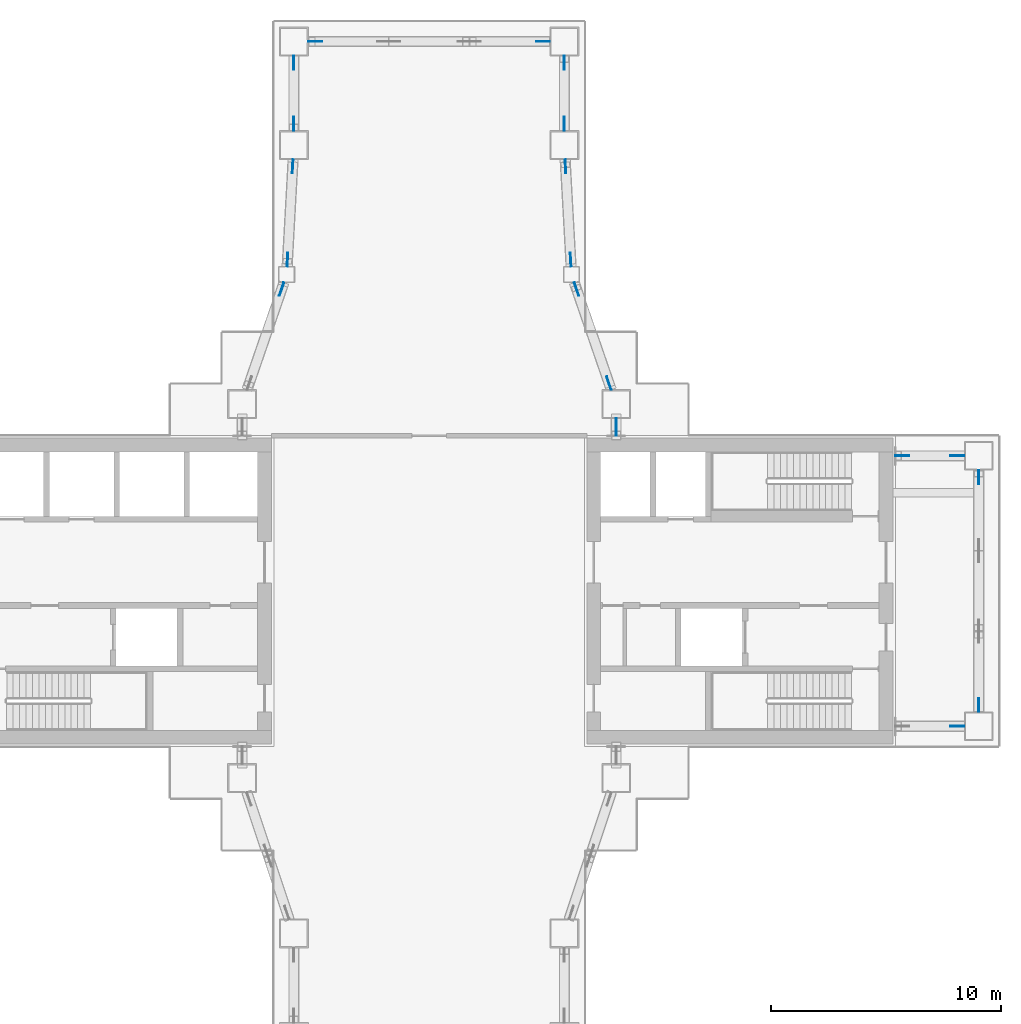
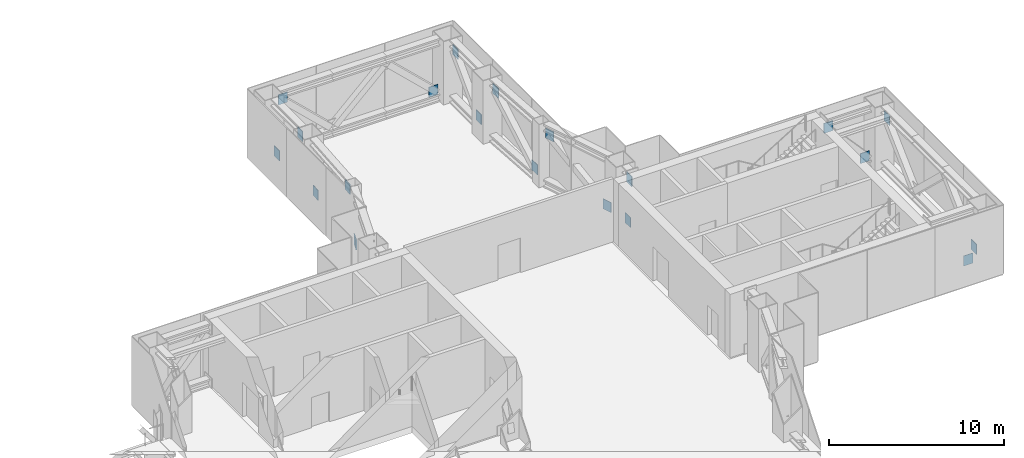
# One storey, part 19 of 21: 20 discrete accessories.
"""IFC4 building model written with IfcOpenShell, lengths in metres."""

from ifc_helpers import new_model, si_unit, direction, frame, origin, origin_2d, place, context, subcontext, project, spatial, rectangle, extrude, material, layer, layer_set, type_object, element, save


model = new_model("IFC4")

# Units and contexts
model_context = context("Model", 3, precision=1e-05, world=origin(), true_north=direction((0.0, 1.0)))
body_context = subcontext(model_context, "Body", "Model", "MODEL_VIEW")
ifc_project = project(units=[si_unit("LENGTHUNIT", "METRE"), si_unit("AREAUNIT", "SQUARE_METRE"), si_unit("VOLUMEUNIT", "CUBIC_METRE"), si_unit("PLANEANGLEUNIT", "RADIAN"), si_unit("MASSUNIT", "GRAM", prefix="KILO")], contexts=[model_context])

# Site, building, storey
site_placement = place(None, origin())
site = spatial("IfcSite", under=ifc_project, at=site_placement, CompositionType="ELEMENT")
building_placement = place(site_placement, origin())
building = spatial("IfcBuilding", under=site, at=building_placement, Name="Shamsa Quay Exchange Towers", CompositionType="ELEMENT")
storey_placement = place(building_placement, frame((0.0, 0.0, 128.699951171875)))
storey = spatial("IfcBuildingStorey", under=building, at=storey_placement, Name="L30", CompositionType="ELEMENT", Elevation=128.699951171875)

# Discrete accessories
ifc_material = material(Name="Steel S355", Category="steel")
ifc_layer = layer(ifc_material, 0.0400390625)
ifc_layer_set = layer_set([ifc_layer], Name="End plate 600x700x40")
discrete_accessory_type = type_object("IfcDiscreteAccessoryType", Name="End plate 600x700x40", PredefinedType="BRACKET", material=ifc_layer_set)
for number, where, z_axis, x_axis, name in (
    (1, (56.699951171875, -5.875, 0.38134765625), (0.0, 0.0, 1.0), (-1.0, 0.0, 0.0), "End plate T2 L30"),
    (2, (57.625, -4.949951171875, 0.38134765625), (0.0, 0.0, 1.0), (0.0, 1.0, 0.0), "End plate T2 L30"),
    (3, (57.625, 4.949951171875, 3.31884765625), (0.0, 0.0, 1.0), (0.0, 1.0, 0.0), "End plate T2 L30"),
    (4, (56.699951171875, 5.875, 0.38134765625), (0.0, 0.0, 1.0), (-1.0, 0.0, 0.0), "End plate T2 L30"),
    (5, (54.300048828125, 5.875, 3.31884765625), (0.0, 0.0, 1.0), (-1.0, 0.0, 0.0), "End plate T2 L30"),
    (6, (41.875, 7.199951171875, 0.38134765625), (0.0, 0.0, 1.0), (0.0, -1.0, 0.0), "End plate T2 L30"),
    (7, (41.875, 7.050048828125, 3.31884765625), (0.0, 0.0, 1.0), (0.0, -1.0, 0.0), "End plate T2 L30"),
    (8, (41.56201171875, 9.03369140625, 0.38134765625), (0.0, 0.0, 1.0), (-0.325666906351, 0.945484566827, 0.0), "End plate T2 L30"),
    (9, (40.15576171875, 13.116455078125, 3.31884765625), (0.0, 0.0, 1.0), (-0.325666906351, 0.945484566827, 0.0), "End plate T2 L30"),
    (10, (39.9013671875, 14.399658203125, 0.38134765625), (0.0, 0.0, 1.0), (-0.055470019625, 0.998460353205, 0.0), "End plate T2 L30"),
    (11, (39.67626953125, 18.450439453125, 3.31884765625), (0.0, 0.0, 1.0), (-0.055470019625, 0.998460353205, 0.0), "End plate T2 L30"),
    (12, (39.625, 20.300048828125, 0.38134765625), (0.0, 0.0, 1.0), (0.0, 1.0, 0.0), "End plate T2 L30"),
    (13, (39.625, 22.949951171875, 3.31884765625), (0.0, 0.0, 1.0), (0.0, 1.0, 0.0), "End plate T2 L30"),
    (14, (38.699951171875, 23.875, 0.38134765625), (0.0, 0.0, 1.0), (-1.0, 0.0, 0.0), "End plate T2 L30"),
    (15, (28.800048828125, 23.875, 3.31884765625), (0.0, 0.0, 1.0), (-1.0, 0.0, 0.0), "End plate T2 L30"),
    (16, (27.875, 22.949951171875, 0.38134765625), (0.0, 0.0, 1.0), (0.0, -1.0, 0.0), "End plate T2 L30"),
    (17, (27.875, 20.300048828125, 3.31884765625), (0.0, 0.0, 1.0), (0.0, -1.0, 0.0), "End plate T2 L30"),
    (18, (27.82373046875, 18.450439453125, 0.38134765625), (0.0, 0.0, 1.0), (-0.055470019625, -0.998460353205, 0.0), "End plate T2 L30"),
    (19, (27.5986328125, 14.399658203125, 3.31884765625), (0.0, 0.0, 1.0), (-0.055470019625, -0.998460353205, 0.0), "End plate T2 L30"),
    (20, (27.34423828125, 13.116455078125, 0.38134765625), (0.0, 0.0, 1.0), (-0.325666906351, -0.945484566827, 0.0), "End plate T2 L30"),
):
    element("IfcDiscreteAccessory", number, at=place(storey_placement, frame(where, z_axis=z_axis, x_axis=x_axis)), inside=storey, type_object=discrete_accessory_type, Name=name, PredefinedType="BRACKET", context=body_context, shape_type="SweptSolid", body=[
        extrude(rectangle(XDim=0.60009765625, YDim=0.0400390625, at=origin_2d()), origin(), (0.0, 0.0, 1.0), 0.699951171875),
    ])

save(model, "model.ifc")
